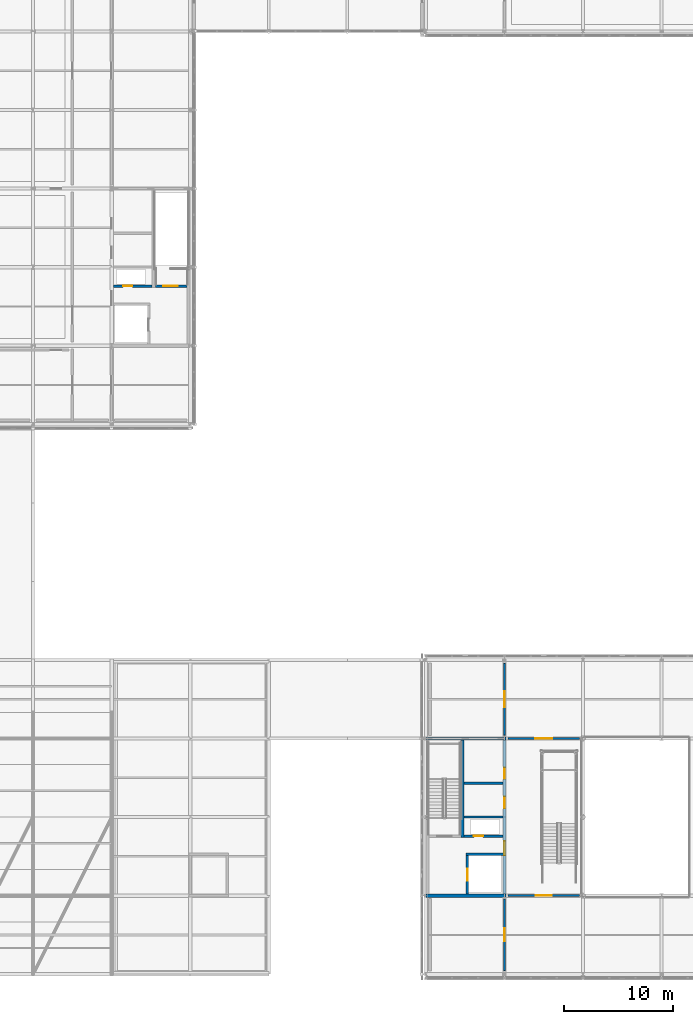
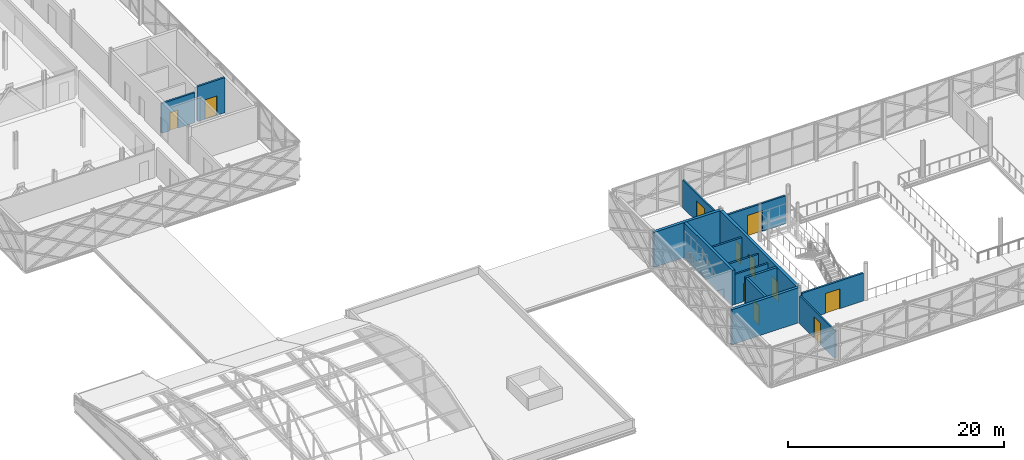
# One storey, part 86 of 103: 15 walls, 11 doors, 11 openings.
"""IFC4 building model written with IfcOpenShell, lengths in metres."""

import ifcopenshell
import ifcopenshell.guid

model = None  # the IFC model being written
_history = None  # IfcOwnerHistory: only IFC2X3 demands one
_inside = {}  # id of a spatial element -> (the spatial element, [elements in it])
_under = {}  # id of a project, library or spatial element -> (it, [spatial elements below it])
_declared = {}  # id of a project -> (the project, [libraries it declares])
_typed = {}  # id of a type object -> (the type object, [elements of that type])
_made_of = {}  # id of a material, layer set ... -> (it, [elements and type objects made of it])


def new_model(schema):
    """Start an empty IFC model of exactly this schema.

    Asked for "IFC4X3", IfcOpenShell would pick the latest addendum, in which some entities
    have other attributes; the version numbers below select the first issue.
    IFC2X3 requires an IfcOwnerHistory on every rooted entity: one is made here for all.
    """
    global model, _history
    if schema == "IFC4X3":
        model = ifcopenshell.file(schema_version=(4, 3, 0, 0))
    else:
        model = ifcopenshell.file(schema=schema)
    _inside.clear()
    _under.clear()
    _declared.clear()
    _typed.clear()
    _made_of.clear()
    _history = None
    if model.schema == "IFC2X3":
        org = make("IfcOrganization", Name="unknown")
        user = make(
            "IfcPersonAndOrganization",
            ThePerson=make("IfcPerson", FamilyName="unknown"),
            TheOrganization=org,
        )
        app = make(
            "IfcApplication",
            ApplicationDeveloper=org,
            Version="unknown",
            ApplicationFullName="unknown",
            ApplicationIdentifier="unknown",
        )
        _history = make(
            "IfcOwnerHistory",
            OwningUser=user,
            OwningApplication=app,
            ChangeAction="ADDED",
            CreationDate=0,
        )
    return model


def make(cls, **values):
    """One entity of the class cls with the attributes given. An attribute that is None is left unset."""
    return model.create_entity(
        cls, **{name: value for name, value in values.items() if value is not None}
    )


def rooted(cls, **values):
    """An entity with a GlobalId (a new one), such as an element, a storey or a relation."""
    return make(cls, GlobalId=ifcopenshell.guid.new(), OwnerHistory=_history, **values)


def si_unit(unit_type, name, prefix=None):
    """IfcSIUnit, for example si_unit("LENGTHUNIT", "METRE", prefix="MILLI")."""
    return make("IfcSIUnit", UnitType=unit_type, Prefix=prefix, Name=name)


def assignment(units):
    """IfcUnitAssignment: the units of a project."""
    return None if units is None else make("IfcUnitAssignment", Units=units)


def point(xyz):
    """IfcCartesianPoint."""
    return None if xyz is None else make("IfcCartesianPoint", Coordinates=xyz)


def direction(xyz):
    """IfcDirection."""
    return None if xyz is None else make("IfcDirection", DirectionRatios=xyz)


def frame(location, z_axis=None, x_axis=None):
    """IfcAxis2Placement3D, a coordinate frame: its origin and axes. An axis left out is left unset."""
    return make(
        "IfcAxis2Placement3D",
        Location=point(location),
        Axis=direction(z_axis),
        RefDirection=direction(x_axis),
    )


def frame_2d(location, x_axis=None):
    """IfcAxis2Placement2D, a coordinate frame in the plane: its origin and x axis."""
    return make(
        "IfcAxis2Placement2D", Location=point(location), RefDirection=direction(x_axis)
    )


def origin():
    """The frame at (0, 0, 0) with its axes left unset."""
    return frame((0.0, 0.0, 0.0))


def place(relative_to, where):
    """IfcLocalPlacement: puts the frame where relative to a parent placement (None: the world)."""
    return make(
        "IfcLocalPlacement", PlacementRelTo=relative_to, RelativePlacement=where
    )


def context(
    kind, dimensions, precision=None, world=None, true_north=None, identifier=None
):
    """IfcGeometricRepresentationContext, for example the 3D "Model" context."""
    return make(
        "IfcGeometricRepresentationContext",
        ContextIdentifier=identifier,
        ContextType=kind,
        CoordinateSpaceDimension=dimensions,
        Precision=precision,
        WorldCoordinateSystem=world,
        TrueNorth=true_north,
    )


def subcontext(parent, identifier, kind, view, scale=None):
    """IfcGeometricRepresentationSubContext, for example "Body" below "Model"."""
    return make(
        "IfcGeometricRepresentationSubContext",
        ContextIdentifier=identifier,
        ContextType=kind,
        ParentContext=parent,
        TargetScale=scale,
        TargetView=view,
    )


def project(units=None, contexts=None):
    """IfcProject with its units and contexts."""
    return rooted(
        "IfcProject",
        Name="project",
        RepresentationContexts=contexts,
        UnitsInContext=assignment(units),
    )


def spatial(cls, under=None, at=None, **own):
    """A site, building, storey or space (cls), placed at a placement, below another one or the project."""
    s = rooted(cls, ObjectPlacement=at, **own)
    if under is not None:
        _under.setdefault(under.id(), (under, []))[1].append(s)
    return s


def profile(cls, at=None, kind="AREA", **sizes):
    """A parametric profile (cls). Its sizes go by their IFC names, for example OverallWidth=200.0."""
    return make(cls, ProfileType=kind, Position=at, **sizes)


def rectangle(**sizes):
    """IfcRectangleProfileDef."""
    return profile("IfcRectangleProfileDef", **sizes)


def extrude(swept, where, along, depth):
    """IfcExtrudedAreaSolid: the profile swept, set in the frame where, extruded along a direction by depth."""
    return make(
        "IfcExtrudedAreaSolid",
        SweptArea=swept,
        Position=where,
        ExtrudedDirection=direction(along),
        Depth=depth,
    )


def shape(context_of_items, identifier, shape_type, items):
    """IfcShapeRepresentation: the items that make up one representation, for example the "Body"."""
    return make(
        "IfcShapeRepresentation",
        ContextOfItems=context_of_items,
        RepresentationIdentifier=identifier,
        RepresentationType=shape_type,
        Items=items,
    )


def material(Name=None, Category=None):
    """IfcMaterial."""
    return make("IfcMaterial", Name=Name, Category=Category)


def layer(
    of_material, thickness, ventilated=None, Name=None, Category=None, Priority=None
):
    """IfcMaterialLayer: one layer of a wall or slab, of a material (None: an air gap)."""
    return make(
        "IfcMaterialLayer",
        Material=of_material,
        LayerThickness=thickness,
        IsVentilated=ventilated,
        Name=Name,
        Category=Category,
        Priority=Priority,
    )


def layer_set(layers, Name=None):
    """IfcMaterialLayerSet."""
    return make("IfcMaterialLayerSet", MaterialLayers=layers, LayerSetName=Name)


def made_of(thing, what):
    """Note that an element or type object is made of a material, layer set ...; save() writes the relation."""
    if what is not None:
        _made_of.setdefault(what.id(), (what, []))[1].append(thing)
    return thing


def type_object(cls, material=None, **own):
    """A type object (cls), such as IfcWallType, which elements share."""
    return made_of(rooted(cls, **own), material)


def element(
    cls,
    number,
    at=None,
    inside=None,
    cuts=None,
    type_object=None,
    material=None,
    context=None,
    identifier="Body",
    shape_type=None,
    held_by="IfcProductDefinitionShape",
    body=None,
    shapes=None,
    **own,
):
    """One element of the class cls, such as IfcWall. Its Tag is "e" and its number.

    at: its placement. inside: the storey or other place that contains it. cuts: it is an
    opening in that element (IfcRelVoidsElement). A single representation is given by context,
    identifier, shape_type and body (its items); several are given by shapes. held_by: the class
    of the entity that holds the representations. save() writes the other relations.
    """
    e = rooted(cls, Tag="e%d" % number, ObjectPlacement=at, **own)
    if body is not None:
        shapes = [shape(context, identifier, shape_type, body)]
    if shapes is not None:
        e.Representation = make(held_by, Representations=shapes)
    if inside is not None:
        _inside.setdefault(inside.id(), (inside, []))[1].append(e)
    if cuts is not None:
        rooted(
            "IfcRelVoidsElement", RelatingBuildingElement=cuts, RelatedOpeningElement=e
        )
    if type_object is not None:
        _typed.setdefault(type_object.id(), (type_object, []))[1].append(e)
    return made_of(e, material)


def fill(opening, filler):
    """IfcRelFillsElement: the door or window that sits in an opening."""
    return rooted(
        "IfcRelFillsElement",
        RelatingOpeningElement=opening,
        RelatedBuildingElement=filler,
    )


def aggregate(whole, parts):
    """IfcRelAggregates: a whole, such as a stair, and the parts it consists of."""
    return rooted("IfcRelAggregates", RelatingObject=whole, RelatedObjects=parts)


def save(model, path):
    """Write the relations noted so far, then the file.

    IfcRelAggregates (storeys below a building ...), IfcRelContainedInSpatialStructure (elements
    in a storey), IfcRelDefinesByType, IfcRelAssociatesMaterial and IfcRelDeclares: one each for
    every whole, place, type object, material and project.
    """
    for whole, parts in _under.values():
        aggregate(whole, parts)
    for where, things in _inside.values():
        rooted(
            "IfcRelContainedInSpatialStructure",
            RelatedElements=things,
            RelatingStructure=where,
        )
    for kind, things in _typed.values():
        rooted("IfcRelDefinesByType", RelatedObjects=things, RelatingType=kind)
    for what, things in _made_of.values():
        rooted("IfcRelAssociatesMaterial", RelatedObjects=things, RelatingMaterial=what)
    for by, libraries in _declared.values():
        rooted("IfcRelDeclares", RelatingContext=by, RelatedDefinitions=libraries)
    model.write(path)


model = new_model("IFC4")

# Units and contexts
model_context = context("Model", 3, precision=1e-05, world=origin(), true_north=direction((0.0, 1.0)))
body_context = subcontext(model_context, "Body", "Model", "MODEL_VIEW")
ifc_project = project(units=[si_unit("LENGTHUNIT", "METRE"), si_unit("AREAUNIT", "SQUARE_METRE"), si_unit("VOLUMEUNIT", "CUBIC_METRE"), si_unit("PLANEANGLEUNIT", "RADIAN"), si_unit("MASSUNIT", "GRAM", prefix="KILO")], contexts=[model_context])

# Site, building, storey
site_placement = place(None, origin())
site = spatial("IfcSite", under=ifc_project, at=site_placement, CompositionType="ELEMENT")
building_placement = place(site_placement, origin())
building = spatial("IfcBuilding", under=site, at=building_placement, Name="Zlatovets Crest Museum", CompositionType="ELEMENT")
storey_placement = place(building_placement, frame((0.0, 0.0, 12.89990234375)))
storey = spatial("IfcBuildingStorey", under=building, at=storey_placement, Name="L03", CompositionType="ELEMENT", Elevation=12.89990234375)

# Walls
ifc_material_1 = material(Name="Concrete C35/45", Category="concrete")
ifc_layer_1 = layer(ifc_material_1, 0.300048828125)
ifc_layer_set_1 = layer_set([ifc_layer_1], Name="Concrete C35/45")
wall_type_1 = type_object("IfcWallType", Name="CoreWall_SW01", PredefinedType="SHEAR", material=ifc_layer_set_1)
for number, where, z_axis, x_axis, name in (
    (1, (57.60009765625, 7.199951171875, 0.0), (0.0, 0.0, 1.0), (1.0, 0.0, 0.0), "Core C2 L03 South Shear Wall"),
    (2, (57.60009765625, 21.60009765625, 0.0), (0.0, 0.0, 1.0), (1.0, 0.0, 0.0), "Core C2 L03 North Shear Wall"),
):
    element("IfcWall", number, at=place(storey_placement, frame(where, z_axis=z_axis, x_axis=x_axis)), inside=storey, type_object=wall_type_1, Name=name, PredefinedType="SHEAR", context=body_context, shape_type="SweptSolid", body=[
        extrude(rectangle(XDim=7.349853515625, YDim=0.300048828125, at=frame_2d((3.6748046875, 0.0))), origin(), (0.0, 0.0, 1.0), 3.960205078125),
    ])

# Wall, openings, doors
wall_1_placement = place(storey_placement, frame((64.800048828125, 7.35009765625, 0.0), z_axis=(0.0, 0.0, 1.0), x_axis=(0.0, 1.0, 0.0)))
wall_1 = element("IfcWall", 3, at=wall_1_placement, inside=storey, type_object=wall_type_1, Name="Core C2 L03 Spine Shear Wall", PredefinedType="SHEAR", context=body_context, shape_type="SweptSolid", body=[
    extrude(rectangle(XDim=14.099853515625, YDim=0.300048828125, at=frame_2d((7.0498046875, 0.0))), origin(), (0.0, 0.0, 1.0), 3.960205078125),
])
opening_1_placement = place(wall_1_placement, frame((3.550048828125, 0.0, 0.0)))
opening_1 = element("IfcOpeningElement", 4, at=opening_1_placement, cuts=wall_1, Name="Opening FD-01", PredefinedType="OPENING", context=body_context, shape_type="SweptSolid", body=[
    extrude(rectangle(XDim=1.300048828125, YDim=2.199951171875, at=frame_2d((0.64990234375, 1.10009765625))), frame((0.0, 0.16015625, 0.0), z_axis=(0.0, -1.0, 0.0), x_axis=(1.0, 0.0, 0.0)), (0.0, 0.0, 1.0), 0.320068359375),
])
opening_2_placement = place(wall_1_placement, frame((7.85009765625, 0.0, 0.0)))
opening_2 = element("IfcOpeningElement", 5, at=opening_2_placement, cuts=wall_1, Name="Opening ID-02", PredefinedType="OPENING", context=body_context, shape_type="SweptSolid", body=[
    extrude(rectangle(XDim=1.050048828125, YDim=2.14990234375, at=frame_2d((0.52490234375, 1.074951171875))), frame((0.0, 0.16015625, 0.0), z_axis=(0.0, -1.0, 0.0), x_axis=(1.0, 0.0, 0.0)), (0.0, 0.0, 1.0), 0.320068359375),
])
opening_3_placement = place(wall_1_placement, frame((10.550048828125, 0.0, 0.0)))
opening_3 = element("IfcOpeningElement", 6, at=opening_3_placement, cuts=wall_1, Name="Opening ID-01", PredefinedType="OPENING", context=body_context, shape_type="SweptSolid", body=[
    extrude(rectangle(XDim=1.0, YDim=2.14990234375, at=frame_2d((0.5, 1.074951171875))), frame((0.0, 0.16015625, 0.0), z_axis=(0.0, -1.0, 0.0), x_axis=(1.0, 0.0, 0.0)), (0.0, 0.0, 1.0), 0.320068359375),
])
ifc_material_2 = material(Name="Smoke-sealed steel fire door", Category="steel")
door_type_1 = type_object("IfcDoorType", Name="IntDoor_FD-01", OperationType="NOTDEFINED", PredefinedType="DOOR", material=ifc_material_2)
door_1_placement = place(opening_1_placement, origin())
door_1 = element("IfcDoor", 7, at=door_1_placement, inside=storey, type_object=door_type_1, Name="CDOOR-C2-L03-LOB Core C2 L03 Lobby Fire Door", OperationType="SINGLE_SWING_LEFT", OverallHeight=2.199951171875, OverallWidth=1.300048828125, PredefinedType="DOOR", context=body_context, shape_type="SweptSolid", body=[
    extrude(rectangle(XDim=1.300048828125, YDim=2.199951171875, at=frame_2d((0.64990234375, 1.10009765625))), frame((0.0, 0.02490234375, 0.0), z_axis=(0.0, -1.0, 0.0), x_axis=(1.0, 0.0, 0.0)), (0.0, 0.0, 1.0), 0.050048828125),
])
fill(opening_1, door_1)
ifc_material_3 = material(Name="Solid oak museum room door")
door_type_2 = type_object("IfcDoorType", Name="IntDoor_ID-01", OperationType="NOTDEFINED", PredefinedType="DOOR", material=ifc_material_3)
door_2_placement = place(opening_3_placement, origin())
door_2 = element("IfcDoor", 8, at=door_2_placement, inside=storey, type_object=door_type_2, Name="CDOOR-C2-L03-WC Core C2 L03 Public Restroom Door", OperationType="SINGLE_SWING_RIGHT", OverallHeight=2.14990234375, OverallWidth=1.0, PredefinedType="DOOR", context=body_context, shape_type="SweptSolid", body=[
    extrude(rectangle(XDim=1.0, YDim=2.14990234375, at=frame_2d((0.5, 1.074951171875))), frame((0.0, 0.02490234375, 0.0), z_axis=(0.0, -1.0, 0.0), x_axis=(1.0, 0.0, 0.0)), (0.0, 0.0, 1.0), 0.050048828125),
])
fill(opening_3, door_2)
ifc_material_4 = material(Name="Accessible sanitary room door")
door_type_3 = type_object("IfcDoorType", Name="IntDoor_ID-02", OperationType="NOTDEFINED", PredefinedType="DOOR", material=ifc_material_4)
door_3_placement = place(opening_2_placement, origin())
door_3 = element("IfcDoor", 9, at=door_3_placement, inside=storey, type_object=door_type_3, Name="CDOOR-C2-L03-AWC Core C2 L03 Accessible WC Door", OperationType="SINGLE_SWING_LEFT", OverallHeight=2.14990234375, OverallWidth=1.050048828125, PredefinedType="DOOR", context=body_context, shape_type="SweptSolid", body=[
    extrude(rectangle(XDim=1.050048828125, YDim=2.14990234375, at=frame_2d((0.52490234375, 1.074951171875))), frame((0.0, 0.02490234375, 0.0), z_axis=(0.0, -1.0, 0.0), x_axis=(1.0, 0.0, 0.0)), (0.0, 0.0, 1.0), 0.050048828125),
])
fill(opening_2, door_3)

# Wall
wall_2_placement = place(storey_placement, frame((60.949951171875, 12.5400390625, 0.0), z_axis=(0.0, 0.0, 1.0), x_axis=(0.0, 1.0, 0.0)))
element("IfcWall", 10, at=wall_2_placement, inside=storey, type_object=wall_type_1, Name="Core C2 L03 Stair Divider Wall", PredefinedType="SHEAR", context=body_context, shape_type="SweptSolid", body=[
    extrude(rectangle(XDim=8.909912109375, YDim=0.300048828125, at=frame_2d((4.455078125, 0.0))), origin(), (0.0, 0.0, 1.0), 3.960205078125),
])

# Wall, opening, door
ifc_layer_2 = layer(ifc_material_1, 0.25)
ifc_layer_set_2 = layer_set([ifc_layer_2], Name="Concrete C35/45")
wall_type_2 = type_object("IfcWallType", Name="CoreWall_SW02", PredefinedType="SHEAR", material=ifc_layer_set_2)
wall_3_placement = place(storey_placement, frame((61.39990234375, 7.35009765625, 0.0), z_axis=(0.0, 0.0, 1.0), x_axis=(0.0, 1.0, 0.0)))
wall_3 = element("IfcWall", 11, at=wall_3_placement, inside=storey, type_object=wall_type_2, Name="Core C2 L03 Lift Shaft Wall", PredefinedType="SHEAR", context=body_context, shape_type="SweptSolid", body=[
    extrude(rectangle(XDim=3.52490234375, YDim=0.25, at=frame_2d((1.762451171875, 0.0))), origin(), (0.0, 0.0, 1.0), 3.960205078125),
])
opening_4_placement = place(wall_3_placement, frame((1.199951171875, 0.0, 0.0)))
opening_4 = element("IfcOpeningElement", 12, at=opening_4_placement, cuts=wall_3, Name="Opening LD-01", PredefinedType="OPENING", context=body_context, shape_type="SweptSolid", body=[
    extrude(rectangle(XDim=1.10009765625, YDim=2.14990234375, at=frame_2d((0.550048828125, 1.074951171875))), frame((0.0, 0.135009765625, 0.0), z_axis=(0.0, -1.0, 0.0), x_axis=(1.0, 0.0, 0.0)), (0.0, 0.0, 1.0), 0.27001953125),
])
ifc_material_5 = material(Name="Stainless-bronze sliding lift landing door")
door_type_4 = type_object("IfcDoorType", Name="IntDoor_LD-01", OperationType="SLIDING_TO_LEFT", PredefinedType="DOOR", material=ifc_material_5)
door_4_placement = place(opening_4_placement, origin())
door_4 = element("IfcDoor", 13, at=door_4_placement, inside=storey, type_object=door_type_4, Name="LDOOR-PL3-L03 Lift PL3 L03 Sliding Landing Door", OperationType="SLIDING_TO_LEFT", OverallHeight=2.14990234375, OverallWidth=1.10009765625, PredefinedType="DOOR", context=body_context, shape_type="SweptSolid", body=[
    extrude(rectangle(XDim=1.10009765625, YDim=2.14990234375, at=frame_2d((0.550048828125, 1.074951171875))), frame((0.0, 0.02490234375, 0.0), z_axis=(0.0, -1.0, 0.0), x_axis=(1.0, 0.0, 0.0)), (0.0, 0.0, 1.0), 0.050048828125),
])
fill(opening_4, door_4)

# Wall
wall_4_placement = place(storey_placement, frame((61.27490234375, 11.0, 0.0), z_axis=(0.0, 0.0, 1.0), x_axis=(1.0, 0.0, 0.0)))
element("IfcWall", 14, at=wall_4_placement, inside=storey, type_object=wall_type_2, Name="Core C2 L03 Lift Shaft North Shear Wall", PredefinedType="SHEAR", context=body_context, shape_type="SweptSolid", body=[
    extrude(rectangle(XDim=3.375, YDim=0.25, at=frame_2d((1.6875, 0.0))), origin(), (0.0, 0.0, 1.0), 3.960205078125),
])

# Wall, opening, door
wall_5_placement = place(storey_placement, frame((32.800048828125, 63.050048828125, 0.0), z_axis=(0.0, 0.0, 1.0), x_axis=(1.0, 0.0, 0.0)))
wall_5 = element("IfcWall", 15, at=wall_5_placement, inside=storey, type_object=wall_type_2, Name="Core C4 L03 Stairwell Fire Wall", PredefinedType="SHEAR", context=body_context, shape_type="SweptSolid", body=[
    extrude(rectangle(XDim=2.89990234375, YDim=0.219970703125, at=frame_2d((1.449951171875, 0.0))), origin(), (0.0, 0.0, 1.0), 3.960205078125),
])
opening_5_placement = place(wall_5_placement, frame((0.75, 0.0, 0.0)))
opening_5 = element("IfcOpeningElement", 16, at=opening_5_placement, cuts=wall_5, Name="Opening FD-01", PredefinedType="OPENING", context=body_context, shape_type="SweptSolid", body=[
    extrude(rectangle(XDim=1.300048828125, YDim=2.199951171875, at=frame_2d((0.64990234375, 1.10009765625))), frame((0.0, 0.1201171875, 0.0), z_axis=(0.0, -1.0, 0.0), x_axis=(1.0, 0.0, 0.0)), (0.0, 0.0, 1.0), 0.239990234375),
])
door_5_placement = place(opening_5_placement, origin())
door_5 = element("IfcDoor", 17, at=door_5_placement, inside=storey, type_object=door_type_1, Name="SDOOR-ST4-L03 Stair ST4 L03 Fire Door", OperationType="SINGLE_SWING_LEFT", OverallHeight=2.199951171875, OverallWidth=1.300048828125, PredefinedType="DOOR", context=body_context, shape_type="SweptSolid", body=[
    extrude(rectangle(XDim=1.300048828125, YDim=2.199951171875, at=frame_2d((0.64990234375, 1.10009765625))), frame((0.0, 0.02490234375, 0.0), z_axis=(0.0, -1.0, 0.0), x_axis=(1.0, 0.0, 0.0)), (0.0, 0.0, 1.0), 0.050048828125),
])
fill(opening_5, door_5)

ifc_material_6 = material(Name="Gypsum-encased fire compartment partition")
ifc_layer_3 = layer(ifc_material_6, 0.199951171875)
ifc_layer_set_3 = layer_set([ifc_layer_3], Name="Gypsum-encased fire compartment partition")
wall_type_3 = type_object("IfcWallType", Name="PartWall_PT-01", PredefinedType="PARTITIONING", material=ifc_layer_set_3)
wall_6_placement = place(storey_placement, frame((65.1201171875, 7.199951171875, 0.0), z_axis=(0.0, 0.0, 1.0), x_axis=(1.0, 0.0, 0.0)))
wall_6 = element("IfcWall", 18, at=wall_6_placement, inside=storey, type_object=wall_type_3, Name="V2 L03 Interior Partition PT-01", PredefinedType="PARTITIONING", context=body_context, shape_type="SweptSolid", body=[
    extrude(rectangle(XDim=6.559814453125, YDim=0.199951171875, at=frame_2d((3.27978515625, 0.0))), origin(), (0.0, 0.0, 1.0), 3.150146484375),
])
opening_6_placement = place(wall_6_placement, frame((2.530029296875, 0.0, 0.0)))
opening_6 = element("IfcOpeningElement", 19, at=opening_6_placement, cuts=wall_6, Name="Opening FD-02", PredefinedType="OPENING", context=body_context, shape_type="SweptSolid", body=[
    extrude(rectangle(XDim=1.5, YDim=2.25, at=frame_2d((0.75, 1.125))), frame((0.0, 0.10986328125, 0.0), z_axis=(0.0, -1.0, 0.0), x_axis=(1.0, 0.0, 0.0)), (0.0, 0.0, 1.0), 0.219970703125),
])
ifc_material_7 = material(Name="Double corridor compartment fire door")
door_type_5 = type_object("IfcDoorType", Name="IntDoor_FD-02", OperationType="DOUBLE_DOOR_SINGLE_SWING", PredefinedType="DOOR", material=ifc_material_7)
door_6_placement = place(opening_6_placement, origin())
door_6 = element("IfcDoor", 20, at=door_6_placement, inside=storey, type_object=door_type_5, Name="IDOOR-V2-L03-0189 Atrium West Stair Gallery L03 to Numismatic Cabinet Door", OperationType="DOUBLE_DOOR_SINGLE_SWING", OverallHeight=2.25, OverallWidth=1.5, PredefinedType="DOOR", context=body_context, shape_type="SweptSolid", body=[
    extrude(rectangle(XDim=1.5, YDim=2.25, at=frame_2d((0.75, 1.125))), frame((0.0, 0.02490234375, 0.0), z_axis=(0.0, -1.0, 0.0), x_axis=(1.0, 0.0, 0.0)), (0.0, 0.0, 1.0), 0.050048828125),
])
fill(opening_6, door_6)

wall_7_placement = place(storey_placement, frame((65.1201171875, 21.60009765625, 0.0), z_axis=(0.0, 0.0, 1.0), x_axis=(1.0, 0.0, 0.0)))
wall_7 = element("IfcWall", 21, at=wall_7_placement, inside=storey, type_object=wall_type_3, Name="V2 L03 Interior Partition PT-01", PredefinedType="PARTITIONING", context=body_context, shape_type="SweptSolid", body=[
    extrude(rectangle(XDim=6.559814453125, YDim=0.199951171875, at=frame_2d((3.27978515625, 0.0))), origin(), (0.0, 0.0, 1.0), 3.150146484375),
])
opening_7_placement = place(wall_7_placement, frame((2.47998046875, 0.0, 0.0)))
opening_7 = element("IfcOpeningElement", 22, at=opening_7_placement, cuts=wall_7, Name="Opening ID-04", PredefinedType="OPENING", context=body_context, shape_type="SweptSolid", body=[
    extrude(rectangle(XDim=1.60009765625, YDim=2.35009765625, at=frame_2d((0.800048828125, 1.175048828125))), frame((0.0, 0.10986328125, 0.0), z_axis=(0.0, -1.0, 0.0), x_axis=(1.0, 0.0, 0.0)), (0.0, 0.0, 1.0), 0.219970703125),
])
ifc_material_8 = material(Name="Gallery salon double portal door")
door_type_6 = type_object("IfcDoorType", Name="IntDoor_ID-04", OperationType="DOUBLE_DOOR_SINGLE_SWING", PredefinedType="DOOR", material=ifc_material_8)
door_7_placement = place(opening_7_placement, origin())
door_7 = element("IfcDoor", 23, at=door_7_placement, inside=storey, type_object=door_type_6, Name="IDOOR-V2-L03-0190 Atrium West Stair Gallery L03 to Atrium Upper Promenade Door", OperationType="DOUBLE_DOOR_SINGLE_SWING", OverallHeight=2.35009765625, OverallWidth=1.60009765625, PredefinedType="DOOR", context=body_context, shape_type="SweptSolid", body=[
    extrude(rectangle(XDim=1.60009765625, YDim=2.35009765625, at=frame_2d((0.800048828125, 1.175048828125))), frame((0.0, 0.02490234375, 0.0), z_axis=(0.0, -1.0, 0.0), x_axis=(1.0, 0.0, 0.0)), (0.0, 0.0, 1.0), 0.050048828125),
])
fill(opening_7, door_7)

ifc_material_9 = material(Name="Acoustic museum gallery stud partition")
ifc_layer_4 = layer(ifc_material_9, 0.159912109375)
ifc_layer_set_4 = layer_set([ifc_layer_4], Name="Acoustic museum gallery stud partition")
wall_type_4 = type_object("IfcWallType", Name="PartWall_PT-02", PredefinedType="PARTITIONING", material=ifc_layer_set_4)
wall_8_placement = place(storey_placement, frame((64.800048828125, 0.320068359375, 0.0), z_axis=(0.0, 0.0, 1.0), x_axis=(0.0, 1.0, 0.0)))
wall_8 = element("IfcWall", 24, at=wall_8_placement, inside=storey, type_object=wall_type_4, Name="V2 L03 Interior Partition PT-02", PredefinedType="PARTITIONING", context=body_context, shape_type="SweptSolid", body=[
    extrude(rectangle(XDim=6.559814453125, YDim=0.159912109375, at=frame_2d((3.27978515625, 0.0))), origin(), (0.0, 0.0, 1.0), 3.150146484375),
])
opening_8_placement = place(wall_8_placement, frame((2.679931640625, 0.0, 0.0)))
opening_8 = element("IfcOpeningElement", 25, at=opening_8_placement, cuts=wall_8, Name="Opening ID-20", PredefinedType="OPENING", context=body_context, shape_type="SweptSolid", body=[
    extrude(rectangle(XDim=1.199951171875, YDim=2.39990234375, at=frame_2d((0.60009765625, 1.199951171875))), frame((0.0, 0.08984375, 0.0), z_axis=(0.0, -1.0, 0.0), x_axis=(1.0, 0.0, 0.0)), (0.0, 0.0, 1.0), 0.179931640625),
])
ifc_material_10 = material(Name="Laboratory equipment leaf door")
door_type_7 = type_object("IfcDoorType", Name="IntDoor_ID-20", OperationType="NOTDEFINED", PredefinedType="DOOR", material=ifc_material_10)
door_8_placement = place(opening_8_placement, origin())
door_8 = element("IfcDoor", 26, at=door_8_placement, inside=storey, type_object=door_type_7, Name="IDOOR-V2-L03-0192 Numismatic Cabinet to West Wing Study L03 Door", OperationType="SINGLE_SWING_LEFT", OverallHeight=2.39990234375, OverallWidth=1.199951171875, PredefinedType="DOOR", context=body_context, shape_type="SweptSolid", body=[
    extrude(rectangle(XDim=1.199951171875, YDim=2.39990234375, at=frame_2d((0.60009765625, 1.199951171875))), frame((0.0, 0.02490234375, 0.0), z_axis=(0.0, -1.0, 0.0), x_axis=(1.0, 0.0, 0.0)), (0.0, 0.0, 1.0), 0.050048828125),
])
fill(opening_8, door_8)

wall_9_placement = place(storey_placement, frame((64.800048828125, 21.919921875, 0.0), z_axis=(0.0, 0.0, 1.0), x_axis=(0.0, 1.0, 0.0)))
wall_9 = element("IfcWall", 27, at=wall_9_placement, inside=storey, type_object=wall_type_4, Name="V2 L03 Interior Partition PT-02", PredefinedType="PARTITIONING", context=body_context, shape_type="SweptSolid", body=[
    extrude(rectangle(XDim=6.56005859375, YDim=0.159912109375, at=frame_2d((3.280029296875, 0.0))), origin(), (0.0, 0.0, 1.0), 3.150146484375),
])
opening_9_placement = place(wall_9_placement, frame((2.554931640625, 0.0, 0.0)))
opening_9 = element("IfcOpeningElement", 28, at=opening_9_placement, cuts=wall_9, Name="Opening ID-22", PredefinedType="OPENING", context=body_context, shape_type="SweptSolid", body=[
    extrude(rectangle(XDim=1.449951171875, YDim=2.35009765625, at=frame_2d((0.72509765625, 1.175048828125))), frame((0.0, 0.08984375, 0.0), z_axis=(0.0, -1.0, 0.0), x_axis=(1.0, 0.0, 0.0)), (0.0, 0.0, 1.0), 0.179931640625),
])
ifc_material_11 = material(Name="Education studio double door")
door_type_8 = type_object("IfcDoorType", Name="IntDoor_ID-22", OperationType="DOUBLE_DOOR_SINGLE_SWING", PredefinedType="DOOR", material=ifc_material_11)
door_9_placement = place(opening_9_placement, origin())
door_9 = element("IfcDoor", 29, at=door_9_placement, inside=storey, type_object=door_type_8, Name="IDOOR-V2-L03-0194 Atrium Upper Promenade to Court Corner Cabinet L03 Door", OperationType="DOUBLE_DOOR_SINGLE_SWING", OverallHeight=2.35009765625, OverallWidth=1.449951171875, PredefinedType="DOOR", context=body_context, shape_type="SweptSolid", body=[
    extrude(rectangle(XDim=1.449951171875, YDim=2.35009765625, at=frame_2d((0.72509765625, 1.175048828125))), frame((0.0, 0.02490234375, 0.0), z_axis=(0.0, -1.0, 0.0), x_axis=(1.0, 0.0, 0.0)), (0.0, 0.0, 1.0), 0.050048828125),
])
fill(opening_9, door_9)

ifc_material_12 = material(Name="Sanitary core acoustic service wall")
ifc_layer_5 = layer(ifc_material_12, 0.219970703125)
ifc_layer_set_5 = layer_set([ifc_layer_5], Name="Sanitary core acoustic service wall")
wall_type_5 = type_object("IfcWallType", Name="PartWall_PT-04", PredefinedType="PLUMBINGWALL", material=ifc_layer_set_5)
wall_10_placement = place(storey_placement, frame((61.10009765625, 12.64990234375, 0.0), z_axis=(0.0, 0.0, 1.0), x_axis=(1.0, 0.0, 0.0)))
wall_10 = element("IfcWall", 30, at=wall_10_placement, inside=storey, type_object=wall_type_5, Name="Core C2 L03 Riser Lobby Wall", PredefinedType="PLUMBINGWALL", context=body_context, shape_type="SweptSolid", body=[
    extrude(rectangle(XDim=3.5498046875, YDim=0.199951171875, at=frame_2d((1.77490234375, 0.0))), origin(), (0.0, 0.0, 1.0), 3.380126953125),
])
opening_10_placement = place(wall_10_placement, frame((0.89990234375, 0.0, 0.0)))
opening_10 = element("IfcOpeningElement", 31, at=opening_10_placement, cuts=wall_10, Name="Opening FD-03", PredefinedType="OPENING", context=body_context, shape_type="SweptSolid", body=[
    extrude(rectangle(XDim=0.85009765625, YDim=2.050048828125, at=frame_2d((0.425048828125, 1.02490234375))), frame((0.0, 0.10986328125, 0.0), z_axis=(0.0, -1.0, 0.0), x_axis=(1.0, 0.0, 0.0)), (0.0, 0.0, 1.0), 0.219970703125),
])
ifc_material_13 = material(Name="Steel riser shaft access fire door", Category="steel")
door_type_9 = type_object("IfcDoorType", Name="IntDoor_FD-03", OperationType="NOTDEFINED", PredefinedType="TRAPDOOR", material=ifc_material_13)
door_10_placement = place(opening_10_placement, origin())
door_10 = element("IfcDoor", 32, at=door_10_placement, inside=storey, type_object=door_type_9, Name="CDOOR-C2-L03-RIS Core C2 L03 Riser Access Door", OperationType="SINGLE_SWING_RIGHT", OverallHeight=2.050048828125, OverallWidth=0.85009765625, PredefinedType="TRAPDOOR", context=body_context, shape_type="SweptSolid", body=[
    extrude(rectangle(XDim=0.85009765625, YDim=2.050048828125, at=frame_2d((0.425048828125, 1.02490234375))), frame((0.0, 0.02490234375, 0.0), z_axis=(0.0, -1.0, 0.0), x_axis=(1.0, 0.0, 0.0)), (0.0, 0.0, 1.0), 0.050048828125),
])
fill(opening_10, door_10)

# Walls
for number, where, z_axis, x_axis, name in (
    (33, (61.10009765625, 14.39990234375, 0.0), (0.0, 0.0, 1.0), (1.0, 0.0, 0.0), "Core C2 L03 Sanitary Divider"),
    (34, (61.10009765625, 17.5, 0.0), (0.0, 0.0, 1.0), (1.0, 0.0, 0.0), "Core C2 L03 Sanitary Divider"),
):
    element("IfcWall", number, at=place(storey_placement, frame(where, z_axis=z_axis, x_axis=x_axis)), inside=storey, type_object=wall_type_5, Name=name, PredefinedType="PLUMBINGWALL", context=body_context, shape_type="SweptSolid", body=[
        extrude(rectangle(XDim=3.5498046875, YDim=0.199951171875, at=frame_2d((1.77490234375, 0.0))), origin(), (0.0, 0.0, 1.0), 3.380126953125),
    ])

# Wall, opening, door
wall_11_placement = place(storey_placement, frame((28.949951171875, 63.050048828125, 0.0), z_axis=(0.0, 0.0, 1.0), x_axis=(1.0, 0.0, 0.0)))
wall_11 = element("IfcWall", 35, at=wall_11_placement, inside=storey, type_object=wall_type_5, Name="Core C4 L03 Riser Lobby Wall", PredefinedType="PLUMBINGWALL", context=body_context, shape_type="SweptSolid", body=[
    extrude(rectangle(XDim=3.550048828125, YDim=0.199951171875, at=frame_2d((1.77490234375, 0.0))), origin(), (0.0, 0.0, 1.0), 3.380126953125),
])
opening_11_placement = place(wall_11_placement, frame((0.89990234375, 0.0, 0.0)))
opening_11 = element("IfcOpeningElement", 36, at=opening_11_placement, cuts=wall_11, Name="Opening FD-03", PredefinedType="OPENING", context=body_context, shape_type="SweptSolid", body=[
    extrude(rectangle(XDim=0.85009765625, YDim=2.050048828125, at=frame_2d((0.425048828125, 1.02490234375))), frame((0.0, 0.10986328125, 0.0), z_axis=(0.0, -1.0, 0.0), x_axis=(1.0, 0.0, 0.0)), (0.0, 0.0, 1.0), 0.219970703125),
])
door_11_placement = place(opening_11_placement, origin())
door_11 = element("IfcDoor", 37, at=door_11_placement, inside=storey, type_object=door_type_9, Name="CDOOR-C4-L03-RIS Core C4 L03 Riser Access Door", OperationType="SINGLE_SWING_RIGHT", OverallHeight=2.050048828125, OverallWidth=0.85009765625, PredefinedType="TRAPDOOR", context=body_context, shape_type="SweptSolid", body=[
    extrude(rectangle(XDim=0.85009765625, YDim=2.050048828125, at=frame_2d((0.425048828125, 1.02490234375))), frame((0.0, 0.02490234375, 0.0), z_axis=(0.0, -1.0, 0.0), x_axis=(1.0, 0.0, 0.0)), (0.0, 0.0, 1.0), 0.050048828125),
])
fill(opening_11, door_11)

save(model, "model.ifc")
